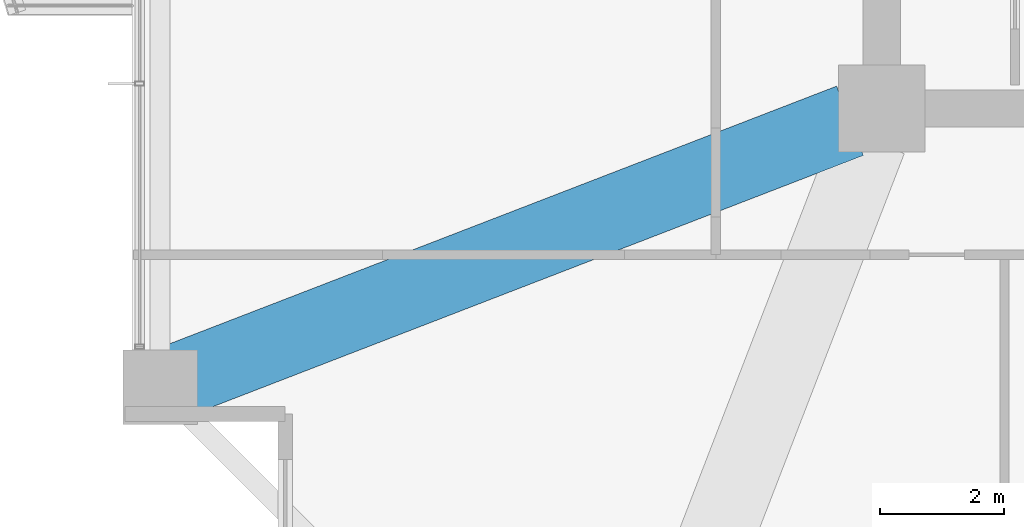
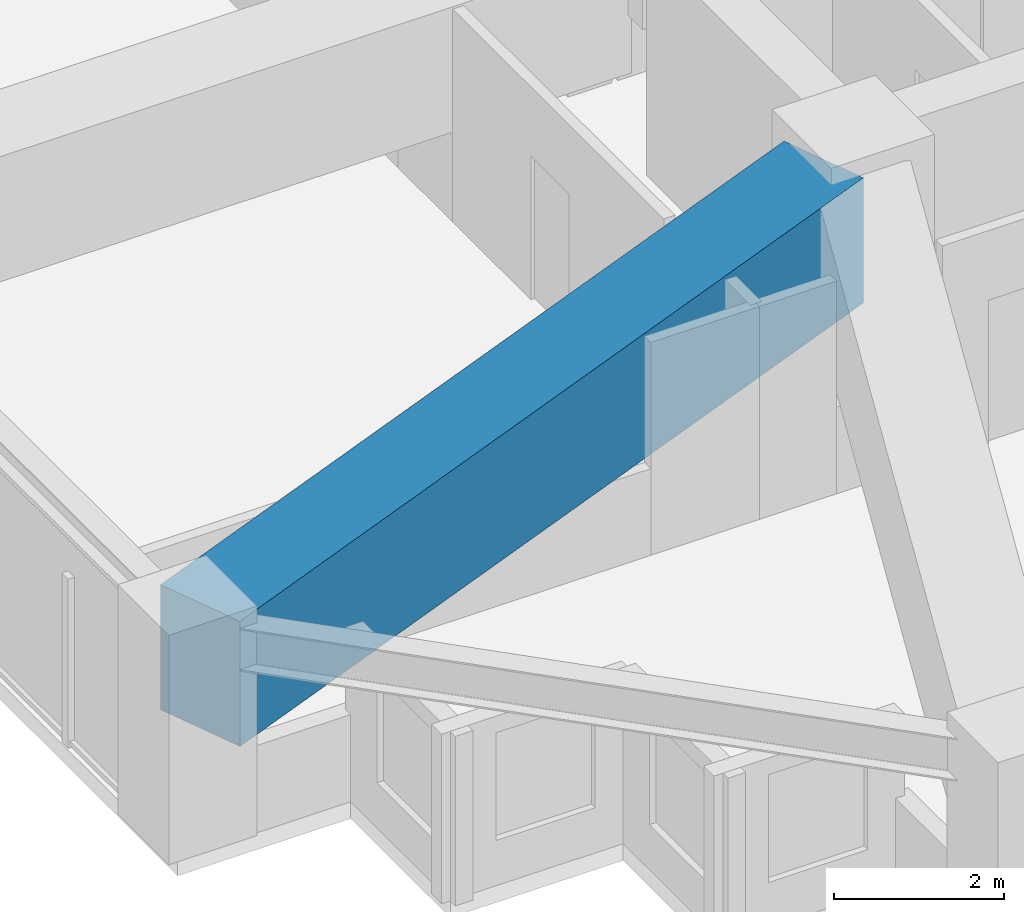
# One storey, part 4 of 39: 1 beam.
"""IFC4 building model written with IfcOpenShell, lengths in metres."""

import ifcopenshell
import ifcopenshell.guid

model = None  # the IFC model being written
_history = None  # IfcOwnerHistory: only IFC2X3 demands one
_inside = {}  # id of a spatial element -> (the spatial element, [elements in it])
_under = {}  # id of a project, library or spatial element -> (it, [spatial elements below it])
_declared = {}  # id of a project -> (the project, [libraries it declares])
_typed = {}  # id of a type object -> (the type object, [elements of that type])
_made_of = {}  # id of a material, layer set ... -> (it, [elements and type objects made of it])


def new_model(schema):
    """Start an empty IFC model of exactly this schema.

    Asked for "IFC4X3", IfcOpenShell would pick the latest addendum, in which some entities
    have other attributes; the version numbers below select the first issue.
    IFC2X3 requires an IfcOwnerHistory on every rooted entity: one is made here for all.
    """
    global model, _history
    if schema == "IFC4X3":
        model = ifcopenshell.file(schema_version=(4, 3, 0, 0))
    else:
        model = ifcopenshell.file(schema=schema)
    _inside.clear()
    _under.clear()
    _declared.clear()
    _typed.clear()
    _made_of.clear()
    _history = None
    if model.schema == "IFC2X3":
        org = make("IfcOrganization", Name="unknown")
        user = make(
            "IfcPersonAndOrganization",
            ThePerson=make("IfcPerson", FamilyName="unknown"),
            TheOrganization=org,
        )
        app = make(
            "IfcApplication",
            ApplicationDeveloper=org,
            Version="unknown",
            ApplicationFullName="unknown",
            ApplicationIdentifier="unknown",
        )
        _history = make(
            "IfcOwnerHistory",
            OwningUser=user,
            OwningApplication=app,
            ChangeAction="ADDED",
            CreationDate=0,
        )
    return model


def make(cls, **values):
    """One entity of the class cls with the attributes given. An attribute that is None is left unset."""
    return model.create_entity(
        cls, **{name: value for name, value in values.items() if value is not None}
    )


def rooted(cls, **values):
    """An entity with a GlobalId (a new one), such as an element, a storey or a relation."""
    return make(cls, GlobalId=ifcopenshell.guid.new(), OwnerHistory=_history, **values)


def si_unit(unit_type, name, prefix=None):
    """IfcSIUnit, for example si_unit("LENGTHUNIT", "METRE", prefix="MILLI")."""
    return make("IfcSIUnit", UnitType=unit_type, Prefix=prefix, Name=name)


def assignment(units):
    """IfcUnitAssignment: the units of a project."""
    return None if units is None else make("IfcUnitAssignment", Units=units)


def point(xyz):
    """IfcCartesianPoint."""
    return None if xyz is None else make("IfcCartesianPoint", Coordinates=xyz)


def direction(xyz):
    """IfcDirection."""
    return None if xyz is None else make("IfcDirection", DirectionRatios=xyz)


def frame(location, z_axis=None, x_axis=None):
    """IfcAxis2Placement3D, a coordinate frame: its origin and axes. An axis left out is left unset."""
    return make(
        "IfcAxis2Placement3D",
        Location=point(location),
        Axis=direction(z_axis),
        RefDirection=direction(x_axis),
    )


def frame_2d(location, x_axis=None):
    """IfcAxis2Placement2D, a coordinate frame in the plane: its origin and x axis."""
    return make(
        "IfcAxis2Placement2D", Location=point(location), RefDirection=direction(x_axis)
    )


def origin():
    """The frame at (0, 0, 0) with its axes left unset."""
    return frame((0.0, 0.0, 0.0))


def origin_2d():
    """The frame at (0, 0) in the plane with its x axis left unset."""
    return frame_2d((0.0, 0.0))


def place(relative_to, where):
    """IfcLocalPlacement: puts the frame where relative to a parent placement (None: the world)."""
    return make(
        "IfcLocalPlacement", PlacementRelTo=relative_to, RelativePlacement=where
    )


def context(
    kind, dimensions, precision=None, world=None, true_north=None, identifier=None
):
    """IfcGeometricRepresentationContext, for example the 3D "Model" context."""
    return make(
        "IfcGeometricRepresentationContext",
        ContextIdentifier=identifier,
        ContextType=kind,
        CoordinateSpaceDimension=dimensions,
        Precision=precision,
        WorldCoordinateSystem=world,
        TrueNorth=true_north,
    )


def subcontext(parent, identifier, kind, view, scale=None):
    """IfcGeometricRepresentationSubContext, for example "Body" below "Model"."""
    return make(
        "IfcGeometricRepresentationSubContext",
        ContextIdentifier=identifier,
        ContextType=kind,
        ParentContext=parent,
        TargetScale=scale,
        TargetView=view,
    )


def project(units=None, contexts=None):
    """IfcProject with its units and contexts."""
    return rooted(
        "IfcProject",
        Name="project",
        RepresentationContexts=contexts,
        UnitsInContext=assignment(units),
    )


def spatial(cls, under=None, at=None, **own):
    """A site, building, storey or space (cls), placed at a placement, below another one or the project."""
    s = rooted(cls, ObjectPlacement=at, **own)
    if under is not None:
        _under.setdefault(under.id(), (under, []))[1].append(s)
    return s


def profile(cls, at=None, kind="AREA", **sizes):
    """A parametric profile (cls). Its sizes go by their IFC names, for example OverallWidth=200.0."""
    return make(cls, ProfileType=kind, Position=at, **sizes)


def rectangle(**sizes):
    """IfcRectangleProfileDef."""
    return profile("IfcRectangleProfileDef", **sizes)


def extrude(swept, where, along, depth):
    """IfcExtrudedAreaSolid: the profile swept, set in the frame where, extruded along a direction by depth."""
    return make(
        "IfcExtrudedAreaSolid",
        SweptArea=swept,
        Position=where,
        ExtrudedDirection=direction(along),
        Depth=depth,
    )


def shape(context_of_items, identifier, shape_type, items):
    """IfcShapeRepresentation: the items that make up one representation, for example the "Body"."""
    return make(
        "IfcShapeRepresentation",
        ContextOfItems=context_of_items,
        RepresentationIdentifier=identifier,
        RepresentationType=shape_type,
        Items=items,
    )


def material(Name=None, Category=None):
    """IfcMaterial."""
    return make("IfcMaterial", Name=Name, Category=Category)


def material_profile(
    of_material, cross_section, Name=None, Category=None, Priority=None
):
    """IfcMaterialProfile: a cross section and its material."""
    return make(
        "IfcMaterialProfile",
        Name=Name,
        Material=of_material,
        Profile=cross_section,
        Priority=Priority,
        Category=Category,
    )


def profile_set(profiles, Name=None, composite=None):
    """IfcMaterialProfileSet."""
    return make(
        "IfcMaterialProfileSet",
        Name=Name,
        MaterialProfiles=profiles,
        CompositeProfile=composite,
    )


def made_of(thing, what):
    """Note that an element or type object is made of a material, layer set ...; save() writes the relation."""
    if what is not None:
        _made_of.setdefault(what.id(), (what, []))[1].append(thing)
    return thing


def type_object(cls, material=None, **own):
    """A type object (cls), such as IfcWallType, which elements share."""
    return made_of(rooted(cls, **own), material)


def element(
    cls,
    number,
    at=None,
    inside=None,
    cuts=None,
    type_object=None,
    material=None,
    context=None,
    identifier="Body",
    shape_type=None,
    held_by="IfcProductDefinitionShape",
    body=None,
    shapes=None,
    **own,
):
    """One element of the class cls, such as IfcWall. Its Tag is "e" and its number.

    at: its placement. inside: the storey or other place that contains it. cuts: it is an
    opening in that element (IfcRelVoidsElement). A single representation is given by context,
    identifier, shape_type and body (its items); several are given by shapes. held_by: the class
    of the entity that holds the representations. save() writes the other relations.
    """
    e = rooted(cls, Tag="e%d" % number, ObjectPlacement=at, **own)
    if body is not None:
        shapes = [shape(context, identifier, shape_type, body)]
    if shapes is not None:
        e.Representation = make(held_by, Representations=shapes)
    if inside is not None:
        _inside.setdefault(inside.id(), (inside, []))[1].append(e)
    if cuts is not None:
        rooted(
            "IfcRelVoidsElement", RelatingBuildingElement=cuts, RelatedOpeningElement=e
        )
    if type_object is not None:
        _typed.setdefault(type_object.id(), (type_object, []))[1].append(e)
    return made_of(e, material)


def aggregate(whole, parts):
    """IfcRelAggregates: a whole, such as a stair, and the parts it consists of."""
    return rooted("IfcRelAggregates", RelatingObject=whole, RelatedObjects=parts)


def save(model, path):
    """Write the relations noted so far, then the file.

    IfcRelAggregates (storeys below a building ...), IfcRelContainedInSpatialStructure (elements
    in a storey), IfcRelDefinesByType, IfcRelAssociatesMaterial and IfcRelDeclares: one each for
    every whole, place, type object, material and project.
    """
    for whole, parts in _under.values():
        aggregate(whole, parts)
    for where, things in _inside.values():
        rooted(
            "IfcRelContainedInSpatialStructure",
            RelatedElements=things,
            RelatingStructure=where,
        )
    for kind, things in _typed.values():
        rooted("IfcRelDefinesByType", RelatedObjects=things, RelatingType=kind)
    for what, things in _made_of.values():
        rooted("IfcRelAssociatesMaterial", RelatedObjects=things, RelatingMaterial=what)
    for by, libraries in _declared.values():
        rooted("IfcRelDeclares", RelatingContext=by, RelatedDefinitions=libraries)
    model.write(path)


model = new_model("IFC4")

# Units and contexts
model_context = context("Model", 3, precision=1e-05, world=origin(), true_north=direction((0.0, 1.0)))
body_context = subcontext(model_context, "Body", "Model", "MODEL_VIEW")
ifc_project = project(units=[si_unit("LENGTHUNIT", "METRE"), si_unit("AREAUNIT", "SQUARE_METRE"), si_unit("VOLUMEUNIT", "CUBIC_METRE"), si_unit("PLANEANGLEUNIT", "RADIAN"), si_unit("MASSUNIT", "GRAM", prefix="KILO")], contexts=[model_context])

# Site, building, storey
site_placement = place(None, origin())
site = spatial("IfcSite", under=ifc_project, at=site_placement, CompositionType="ELEMENT")
building_placement = place(site_placement, origin())
building = spatial("IfcBuilding", under=site, at=building_placement, Name="Kolvaren Belvedere", CompositionType="ELEMENT")
storey_placement = place(building_placement, frame((0.0, 0.0, 40.300048828125)))
storey = spatial("IfcBuildingStorey", under=building, at=storey_placement, Name="L11", CompositionType="ELEMENT", Elevation=40.300048828125)

# Beam
ifc_material = material(Name="Concrete C50/60", Category="concrete")
ifc_material_profile = material_profile(ifc_material, rectangle(XDim=1.199951171875, YDim=1.800048828125, at=origin_2d()), Name="RC 1200X1800")
ifc_profile_set = profile_set([ifc_material_profile], Name="Concrete C50/60")
beam_type = type_object("IfcBeamType", Name="BM-TG-1800", PredefinedType="BEAM", material=ifc_profile_set)
beam_placement = place(storey_placement, frame((-10.4130859375, -10.09814453125, 2.159912109375), z_axis=(-0.932829382313, -0.360318391835, 0.0), x_axis=(0.360318391835, -0.932829382313, 0.0)))
element("IfcBeam", 1, at=beam_placement, inside=storey, type_object=beam_type, Name="L11 Corner Core-to-Perimeter Girder CC1-W1", PredefinedType="BEAM", context=body_context, shape_type="SweptSolid", body=[
    extrude(rectangle(XDim=1.199951171875, YDim=1.800048828125, at=origin_2d()), origin(), (0.0, 0.0, 1.0), 11.698974609375),
])

save(model, "model.ifc")
